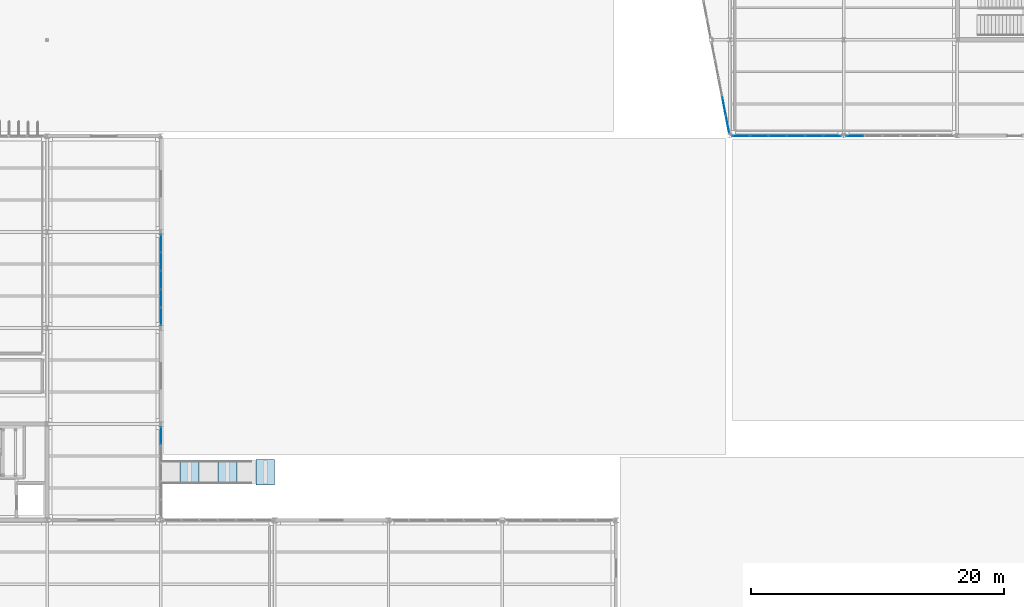
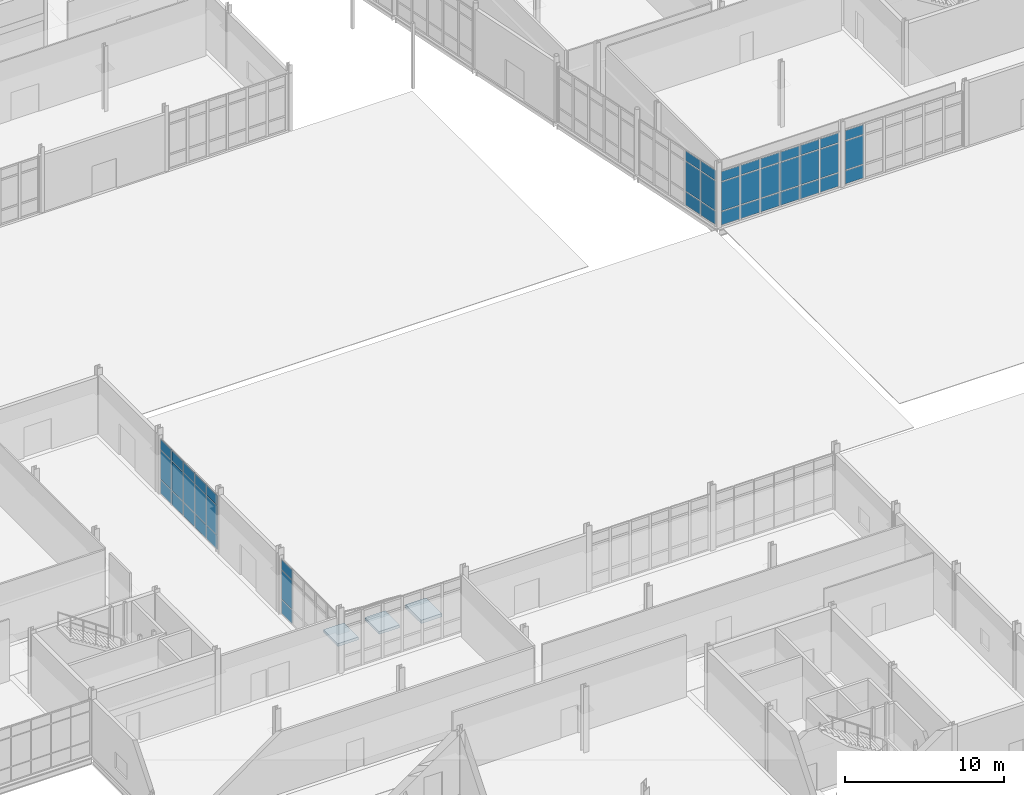
# One storey, part 126 of 161: 45 plates, 3 slabs, 6 elements without a shape of their own.
"""IFC4 building model written with IfcOpenShell, lengths in metres."""

from ifc_helpers import new_model, si_unit, direction, frame, origin, origin_2d, place, context, subcontext, project, spatial, polyline, rectangle, outline, extrude, material, layer, layer_set, type_object, element, aggregate, save


model = new_model("IFC4")

# Units and contexts
model_context = context("Model", 3, precision=1e-05, world=origin(), true_north=direction((0.0, 1.0)))
body_context = subcontext(model_context, "Body", "Model", "MODEL_VIEW")
ifc_project = project(units=[si_unit("LENGTHUNIT", "METRE"), si_unit("AREAUNIT", "SQUARE_METRE"), si_unit("VOLUMEUNIT", "CUBIC_METRE"), si_unit("PLANEANGLEUNIT", "RADIAN"), si_unit("MASSUNIT", "GRAM", prefix="KILO")], contexts=[model_context])

# Site, building, storey
site_placement = place(None, origin())
site = spatial("IfcSite", under=ifc_project, at=site_placement, CompositionType="ELEMENT")
building_placement = place(site_placement, origin())
building = spatial("IfcBuilding", under=site, at=building_placement, Name="Caisbarro Railhouse Central Library", CompositionType="ELEMENT")
storey_placement = place(building_placement, origin())
storey = spatial("IfcBuildingStorey", under=building, at=storey_placement, Name="L00", CompositionType="ELEMENT", Elevation=0.0)

# Curtain wall, plates
ifc_material_1 = material(Name="Anodised architectural aluminium", Category="aluminium")
curtain_wall_type_1 = type_object("IfcCurtainWallType", Name="CW-CW01", PredefinedType="NOTDEFINED", material=ifc_material_1)
curtain_wall_1_placement = place(storey_placement, origin())
curtain_wall_1 = element("IfcCurtainWall", 1, at=curtain_wall_1_placement, inside=storey, type_object=curtain_wall_type_1, Name="CW01 curtain wall L00 #96", PredefinedType="NOTDEFINED")
ifc_material_2 = material(Name="Double low-e laminated solar-control glass", Category="glass")
ifc_layer_1 = layer(ifc_material_2, 0.01806640625, Name="Double low-e laminated solar-control glass")
ifc_layer_set_1 = layer_set([ifc_layer_1], Name="Double low-e laminated solar-control glass")
plate_type_1 = type_object("IfcPlateType", Name="CWP-CP18", PredefinedType="CURTAIN_PANEL", material=ifc_layer_set_1)
plate_1_placement = place(storey_placement, frame((116.82421875, 61.7041015625, 0.06494140625), z_axis=(0.0, 0.0, 1.0), x_axis=(-0.190780945369, 0.981632635401, 0.0)))
plate_1 = element("IfcPlate", 2, at=plate_1_placement, type_object=plate_type_1, Name="CW01 panel 1.1", PredefinedType="CURTAIN_PANEL", context=body_context, shape_type="SweptSolid", body=[
    extrude(rectangle(XDim=1.371826171875, YDim=0.01806640625, at=origin_2d()), origin(), (0.0, 0.0, 1.0), 1.0224609375),
])
plate_2_placement = place(storey_placement, frame((116.82421875, 61.7041015625, 1.15234375), z_axis=(0.0, 0.0, 1.0), x_axis=(-0.190780945369, 0.981632635401, 0.0)))
plate_2 = element("IfcPlate", 3, at=plate_2_placement, type_object=plate_type_1, Name="CW01 panel 1.2", PredefinedType="CURTAIN_PANEL", context=body_context, shape_type="SweptSolid", body=[
    extrude(rectangle(XDim=1.371826171875, YDim=0.01806640625, at=origin_2d()), origin(), (0.0, 0.0, 1.0), 2.264892578125),
])
plate_3_placement = place(storey_placement, frame((116.82421875, 61.7041015625, 3.482421875), z_axis=(0.0, 0.0, 1.0), x_axis=(-0.190780945369, 0.981632635401, 0.0)))
plate_3 = element("IfcPlate", 4, at=plate_3_placement, type_object=plate_type_1, Name="CW01 panel 1.3", PredefinedType="CURTAIN_PANEL", context=body_context, shape_type="SweptSolid", body=[
    extrude(rectangle(XDim=1.371826171875, YDim=0.01806640625, at=origin_2d()), origin(), (0.0, 0.0, 1.0), 0.75244140625),
])
plate_4_placement = place(storey_placement, frame((116.544677734375, 63.142822265625, 0.06494140625), z_axis=(0.0, 0.0, 1.0), x_axis=(-0.190780945369, 0.981632635401, 0.0)))
plate_4 = element("IfcPlate", 5, at=plate_4_placement, type_object=plate_type_1, Name="CW01 panel 2.1", PredefinedType="CURTAIN_PANEL", context=body_context, shape_type="SweptSolid", body=[
    extrude(rectangle(XDim=1.409423828125, YDim=0.01806640625, at=origin_2d()), origin(), (0.0, 0.0, 1.0), 1.0224609375),
])
plate_5_placement = place(storey_placement, frame((116.544677734375, 63.142822265625, 1.15234375), z_axis=(0.0, 0.0, 1.0), x_axis=(-0.190780945369, 0.981632635401, 0.0)))
plate_5 = element("IfcPlate", 6, at=plate_5_placement, type_object=plate_type_1, Name="CW01 panel 2.2", PredefinedType="CURTAIN_PANEL", context=body_context, shape_type="SweptSolid", body=[
    extrude(rectangle(XDim=1.409423828125, YDim=0.01806640625, at=origin_2d()), origin(), (0.0, 0.0, 1.0), 2.264892578125),
])
plate_6_placement = place(storey_placement, frame((116.544677734375, 63.142822265625, 3.482421875), z_axis=(0.0, 0.0, 1.0), x_axis=(-0.190780945369, 0.981632635401, 0.0)))
plate_6 = element("IfcPlate", 7, at=plate_6_placement, type_object=plate_type_1, Name="CW01 panel 2.3", PredefinedType="CURTAIN_PANEL", context=body_context, shape_type="SweptSolid", body=[
    extrude(rectangle(XDim=1.409423828125, YDim=0.01806640625, at=origin_2d()), origin(), (0.0, 0.0, 1.0), 0.75244140625),
])
aggregate(curtain_wall_1, [plate_1, plate_2, plate_3, plate_4, plate_5, plate_6])

curtain_wall_type_2 = type_object("IfcCurtainWallType", Name="CW-CW02", PredefinedType="NOTDEFINED", material=ifc_material_1)
curtain_wall_2_placement = place(storey_placement, origin())
curtain_wall_2 = element("IfcCurtainWall", 8, at=curtain_wall_2_placement, inside=storey, type_object=curtain_wall_type_2, Name="CW02 curtain wall L00 #103", PredefinedType="NOTDEFINED")
ifc_layer_2 = layer(ifc_material_2, 0.028076171875, Name="Double low-e laminated solar-control glass")
ifc_layer_set_2 = layer_set([ifc_layer_2], Name="Double low-e laminated solar-control glass")
plate_type_2 = type_object("IfcPlateType", Name="CWP-CP28", PredefinedType="CURTAIN_PANEL", material=ifc_layer_set_2)
plate_7_placement = place(storey_placement, frame((117.902099609375, 60.800048828125, 0.0751953125), z_axis=(0.0, 0.0, 1.0), x_axis=(1.0, 0.0, 0.0)))
plate_7 = element("IfcPlate", 9, at=plate_7_placement, type_object=plate_type_2, Name="CW02 panel 1.1", PredefinedType="CURTAIN_PANEL", context=body_context, shape_type="SweptSolid", body=[
    extrude(rectangle(XDim=1.334228515625, YDim=0.028076171875, at=origin_2d()), origin(), (0.0, 0.0, 1.0), 1.007568359375),
])
plate_8_placement = place(storey_placement, frame((117.902099609375, 60.800048828125, 1.157470703125), z_axis=(0.0, 0.0, 1.0), x_axis=(1.0, 0.0, 0.0)))
plate_8 = element("IfcPlate", 10, at=plate_8_placement, type_object=plate_type_2, Name="CW02 panel 1.2", PredefinedType="CURTAIN_PANEL", context=body_context, shape_type="SweptSolid", body=[
    extrude(rectangle(XDim=1.334228515625, YDim=0.028076171875, at=origin_2d()), origin(), (0.0, 0.0, 1.0), 2.205078125),
])
plate_9_placement = place(storey_placement, frame((117.902099609375, 60.800048828125, 3.4375), z_axis=(0.0, 0.0, 1.0), x_axis=(1.0, 0.0, 0.0)))
plate_9 = element("IfcPlate", 11, at=plate_9_placement, type_object=plate_type_2, Name="CW02 panel 1.3", PredefinedType="CURTAIN_PANEL", context=body_context, shape_type="SweptSolid", body=[
    extrude(rectangle(XDim=1.334228515625, YDim=0.028076171875, at=origin_2d()), origin(), (0.0, 0.0, 1.0), 0.737548828125),
])
plate_10_placement = place(storey_placement, frame((119.330078125, 60.800048828125, 0.0751953125), z_axis=(0.0, 0.0, 1.0), x_axis=(1.0, 0.0, 0.0)))
plate_10 = element("IfcPlate", 12, at=plate_10_placement, type_object=plate_type_2, Name="CW02 panel 2.1", PredefinedType="CURTAIN_PANEL", context=body_context, shape_type="SweptSolid", body=[
    extrude(rectangle(XDim=1.37158203125, YDim=0.028076171875, at=origin_2d()), origin(), (0.0, 0.0, 1.0), 1.007568359375),
])
plate_11_placement = place(storey_placement, frame((119.330078125, 60.800048828125, 1.157470703125), z_axis=(0.0, 0.0, 1.0), x_axis=(1.0, 0.0, 0.0)))
plate_11 = element("IfcPlate", 13, at=plate_11_placement, type_object=plate_type_2, Name="CW02 panel 2.2", PredefinedType="CURTAIN_PANEL", context=body_context, shape_type="SweptSolid", body=[
    extrude(rectangle(XDim=1.37158203125, YDim=0.028076171875, at=origin_2d()), origin(), (0.0, 0.0, 1.0), 2.205078125),
])
plate_12_placement = place(storey_placement, frame((119.330078125, 60.800048828125, 3.4375), z_axis=(0.0, 0.0, 1.0), x_axis=(1.0, 0.0, 0.0)))
plate_12 = element("IfcPlate", 14, at=plate_12_placement, type_object=plate_type_2, Name="CW02 panel 2.3", PredefinedType="CURTAIN_PANEL", context=body_context, shape_type="SweptSolid", body=[
    extrude(rectangle(XDim=1.37158203125, YDim=0.028076171875, at=origin_2d()), origin(), (0.0, 0.0, 1.0), 0.737548828125),
])
plate_13_placement = place(storey_placement, frame((120.776611328125, 60.800048828125, 0.0751953125), z_axis=(0.0, 0.0, 1.0), x_axis=(1.0, 0.0, 0.0)))
plate_13 = element("IfcPlate", 15, at=plate_13_placement, type_object=plate_type_2, Name="CW02 panel 3.1", PredefinedType="CURTAIN_PANEL", context=body_context, shape_type="SweptSolid", body=[
    extrude(rectangle(XDim=1.37158203125, YDim=0.028076171875, at=origin_2d()), origin(), (0.0, 0.0, 1.0), 1.007568359375),
])
plate_14_placement = place(storey_placement, frame((120.776611328125, 60.800048828125, 1.157470703125), z_axis=(0.0, 0.0, 1.0), x_axis=(1.0, 0.0, 0.0)))
plate_14 = element("IfcPlate", 16, at=plate_14_placement, type_object=plate_type_2, Name="CW02 panel 3.2", PredefinedType="CURTAIN_PANEL", context=body_context, shape_type="SweptSolid", body=[
    extrude(rectangle(XDim=1.37158203125, YDim=0.028076171875, at=origin_2d()), origin(), (0.0, 0.0, 1.0), 2.205078125),
])
plate_15_placement = place(storey_placement, frame((120.776611328125, 60.800048828125, 3.4375), z_axis=(0.0, 0.0, 1.0), x_axis=(1.0, 0.0, 0.0)))
plate_15 = element("IfcPlate", 17, at=plate_15_placement, type_object=plate_type_2, Name="CW02 panel 3.3", PredefinedType="CURTAIN_PANEL", context=body_context, shape_type="SweptSolid", body=[
    extrude(rectangle(XDim=1.37158203125, YDim=0.028076171875, at=origin_2d()), origin(), (0.0, 0.0, 1.0), 0.737548828125),
])
plate_16_placement = place(storey_placement, frame((122.223388671875, 60.800048828125, 0.0751953125), z_axis=(0.0, 0.0, 1.0), x_axis=(1.0, 0.0, 0.0)))
plate_16 = element("IfcPlate", 18, at=plate_16_placement, type_object=plate_type_2, Name="CW02 panel 4.1", PredefinedType="CURTAIN_PANEL", context=body_context, shape_type="SweptSolid", body=[
    extrude(rectangle(XDim=1.37158203125, YDim=0.028076171875, at=origin_2d()), origin(), (0.0, 0.0, 1.0), 1.007568359375),
])
plate_17_placement = place(storey_placement, frame((122.223388671875, 60.800048828125, 1.157470703125), z_axis=(0.0, 0.0, 1.0), x_axis=(1.0, 0.0, 0.0)))
plate_17 = element("IfcPlate", 19, at=plate_17_placement, type_object=plate_type_2, Name="CW02 panel 4.2", PredefinedType="CURTAIN_PANEL", context=body_context, shape_type="SweptSolid", body=[
    extrude(rectangle(XDim=1.37158203125, YDim=0.028076171875, at=origin_2d()), origin(), (0.0, 0.0, 1.0), 2.205078125),
])
plate_18_placement = place(storey_placement, frame((122.223388671875, 60.800048828125, 3.4375), z_axis=(0.0, 0.0, 1.0), x_axis=(1.0, 0.0, 0.0)))
plate_18 = element("IfcPlate", 20, at=plate_18_placement, type_object=plate_type_2, Name="CW02 panel 4.3", PredefinedType="CURTAIN_PANEL", context=body_context, shape_type="SweptSolid", body=[
    extrude(rectangle(XDim=1.37158203125, YDim=0.028076171875, at=origin_2d()), origin(), (0.0, 0.0, 1.0), 0.737548828125),
])
plate_19_placement = place(storey_placement, frame((123.669921875, 60.800048828125, 0.0751953125), z_axis=(0.0, 0.0, 1.0), x_axis=(1.0, 0.0, 0.0)))
plate_19 = element("IfcPlate", 21, at=plate_19_placement, type_object=plate_type_2, Name="CW02 panel 5.1", PredefinedType="CURTAIN_PANEL", context=body_context, shape_type="SweptSolid", body=[
    extrude(rectangle(XDim=1.37158203125, YDim=0.028076171875, at=origin_2d()), origin(), (0.0, 0.0, 1.0), 1.007568359375),
])
plate_20_placement = place(storey_placement, frame((123.669921875, 60.800048828125, 1.157470703125), z_axis=(0.0, 0.0, 1.0), x_axis=(1.0, 0.0, 0.0)))
plate_20 = element("IfcPlate", 22, at=plate_20_placement, type_object=plate_type_2, Name="CW02 panel 5.2", PredefinedType="CURTAIN_PANEL", context=body_context, shape_type="SweptSolid", body=[
    extrude(rectangle(XDim=1.37158203125, YDim=0.028076171875, at=origin_2d()), origin(), (0.0, 0.0, 1.0), 2.205078125),
])
plate_21_placement = place(storey_placement, frame((123.669921875, 60.800048828125, 3.4375), z_axis=(0.0, 0.0, 1.0), x_axis=(1.0, 0.0, 0.0)))
plate_21 = element("IfcPlate", 23, at=plate_21_placement, type_object=plate_type_2, Name="CW02 panel 5.3", PredefinedType="CURTAIN_PANEL", context=body_context, shape_type="SweptSolid", body=[
    extrude(rectangle(XDim=1.37158203125, YDim=0.028076171875, at=origin_2d()), origin(), (0.0, 0.0, 1.0), 0.737548828125),
])
plate_22_placement = place(storey_placement, frame((125.097900390625, 60.800048828125, 0.0751953125), z_axis=(0.0, 0.0, 1.0), x_axis=(1.0, 0.0, 0.0)))
plate_22 = element("IfcPlate", 24, at=plate_22_placement, type_object=plate_type_2, Name="CW02 panel 6.1", PredefinedType="CURTAIN_PANEL", context=body_context, shape_type="SweptSolid", body=[
    extrude(rectangle(XDim=1.334228515625, YDim=0.028076171875, at=origin_2d()), origin(), (0.0, 0.0, 1.0), 1.007568359375),
])
plate_23_placement = place(storey_placement, frame((125.097900390625, 60.800048828125, 1.157470703125), z_axis=(0.0, 0.0, 1.0), x_axis=(1.0, 0.0, 0.0)))
plate_23 = element("IfcPlate", 25, at=plate_23_placement, type_object=plate_type_2, Name="CW02 panel 6.2", PredefinedType="CURTAIN_PANEL", context=body_context, shape_type="SweptSolid", body=[
    extrude(rectangle(XDim=1.334228515625, YDim=0.028076171875, at=origin_2d()), origin(), (0.0, 0.0, 1.0), 2.205078125),
])
plate_24_placement = place(storey_placement, frame((125.097900390625, 60.800048828125, 3.4375), z_axis=(0.0, 0.0, 1.0), x_axis=(1.0, 0.0, 0.0)))
plate_24 = element("IfcPlate", 26, at=plate_24_placement, type_object=plate_type_2, Name="CW02 panel 6.3", PredefinedType="CURTAIN_PANEL", context=body_context, shape_type="SweptSolid", body=[
    extrude(rectangle(XDim=1.334228515625, YDim=0.028076171875, at=origin_2d()), origin(), (0.0, 0.0, 1.0), 0.737548828125),
])
aggregate(curtain_wall_2, [plate_7, plate_8, plate_9, plate_10, plate_11, plate_12, plate_13, plate_14, plate_15, plate_16, plate_17, plate_18, plate_19, plate_20, plate_21, plate_22, plate_23, plate_24])

curtain_wall_3_placement = place(storey_placement, origin())
curtain_wall_3 = element("IfcCurtainWall", 27, at=curtain_wall_3_placement, inside=storey, type_object=curtain_wall_type_2, Name="CW02 curtain wall L00 #104", PredefinedType="NOTDEFINED")
plate_25_placement = place(storey_placement, frame((126.902099609375, 60.800048828125, 0.0751953125), z_axis=(0.0, 0.0, 1.0), x_axis=(1.0, 0.0, 0.0)))
plate_25 = element("IfcPlate", 28, at=plate_25_placement, type_object=plate_type_2, Name="CW02 panel 1.1", PredefinedType="CURTAIN_PANEL", context=body_context, shape_type="SweptSolid", body=[
    extrude(rectangle(XDim=1.334228515625, YDim=0.028076171875, at=origin_2d()), origin(), (0.0, 0.0, 1.0), 1.007568359375),
])
plate_26_placement = place(storey_placement, frame((126.902099609375, 60.800048828125, 1.157470703125), z_axis=(0.0, 0.0, 1.0), x_axis=(1.0, 0.0, 0.0)))
plate_26 = element("IfcPlate", 29, at=plate_26_placement, type_object=plate_type_2, Name="CW02 panel 1.2", PredefinedType="CURTAIN_PANEL", context=body_context, shape_type="SweptSolid", body=[
    extrude(rectangle(XDim=1.334228515625, YDim=0.028076171875, at=origin_2d()), origin(), (0.0, 0.0, 1.0), 2.205078125),
])
plate_27_placement = place(storey_placement, frame((126.902099609375, 60.800048828125, 3.4375), z_axis=(0.0, 0.0, 1.0), x_axis=(1.0, 0.0, 0.0)))
plate_27 = element("IfcPlate", 30, at=plate_27_placement, type_object=plate_type_2, Name="CW02 panel 1.3", PredefinedType="CURTAIN_PANEL", context=body_context, shape_type="SweptSolid", body=[
    extrude(rectangle(XDim=1.334228515625, YDim=0.028076171875, at=origin_2d()), origin(), (0.0, 0.0, 1.0), 0.737548828125),
])
aggregate(curtain_wall_3, [plate_25, plate_26, plate_27])

curtain_wall_4_placement = place(storey_placement, origin())
curtain_wall_4 = element("IfcCurtainWall", 31, at=curtain_wall_4_placement, inside=storey, type_object=curtain_wall_type_1, Name="CW01 curtain wall L00 #23", PredefinedType="NOTDEFINED")
ifc_layer_3 = layer(ifc_material_2, 0.0380859375, Name="Double low-e laminated solar-control glass")
ifc_layer_set_3 = layer_set([ifc_layer_3], Name="Double low-e laminated solar-control glass")
plate_type_3 = type_object("IfcPlateType", Name="CWP-CP38", PredefinedType="CURTAIN_PANEL", material=ifc_layer_set_3)
plate_28_placement = place(storey_placement, frame((72.0, 37.09326171875, 0.06494140625), z_axis=(0.0, 0.0, 1.0), x_axis=(0.0, 1.0, 0.0)))
plate_28 = element("IfcPlate", 32, at=plate_28_placement, type_object=plate_type_3, Name="CW01 panel 5.1", PredefinedType="CURTAIN_PANEL", context=body_context, shape_type="SweptSolid", body=[
    extrude(rectangle(XDim=1.343505859375, YDim=0.0380859375, at=origin_2d()), origin(), (0.0, 0.0, 1.0), 1.0224609375),
])
plate_29_placement = place(storey_placement, frame((72.0, 37.09326171875, 1.15234375), z_axis=(0.0, 0.0, 1.0), x_axis=(0.0, 1.0, 0.0)))
plate_29 = element("IfcPlate", 33, at=plate_29_placement, type_object=plate_type_3, Name="CW01 panel 5.2", PredefinedType="CURTAIN_PANEL", context=body_context, shape_type="SweptSolid", body=[
    extrude(rectangle(XDim=1.343505859375, YDim=0.0380859375, at=origin_2d()), origin(), (0.0, 0.0, 1.0), 2.215087890625),
])
plate_30_placement = place(storey_placement, frame((72.0, 37.09326171875, 3.4326171875), z_axis=(0.0, 0.0, 1.0), x_axis=(0.0, 1.0, 0.0)))
plate_30 = element("IfcPlate", 34, at=plate_30_placement, type_object=plate_type_3, Name="CW01 panel 5.3", PredefinedType="CURTAIN_PANEL", context=body_context, shape_type="SweptSolid", body=[
    extrude(rectangle(XDim=1.343505859375, YDim=0.0380859375, at=origin_2d()), origin(), (0.0, 0.0, 1.0), 0.75244140625),
])
aggregate(curtain_wall_4, [plate_28, plate_29, plate_30])

curtain_wall_5_placement = place(storey_placement, origin())
curtain_wall_5 = element("IfcCurtainWall", 35, at=curtain_wall_5_placement, inside=storey, type_object=curtain_wall_type_1, Name="CW01 curtain wall L00 #24", PredefinedType="NOTDEFINED")
ifc_layer_4 = layer(ifc_material_2, 0.05810546875, Name="Double low-e laminated solar-control glass")
ifc_layer_set_4 = layer_set([ifc_layer_4], Name="Double low-e laminated solar-control glass")
plate_type_4 = type_object("IfcPlateType", Name="CWP-CP58", PredefinedType="CURTAIN_PANEL", material=ifc_layer_set_4)
plate_31_placement = place(storey_placement, frame((72.0, 46.5068359375, 0.06494140625), z_axis=(0.0, 0.0, 1.0), x_axis=(0.0, 1.0, 0.0)))
plate_31 = element("IfcPlate", 36, at=plate_31_placement, type_object=plate_type_4, Name="CW01 panel 1.1", PredefinedType="CURTAIN_PANEL", context=body_context, shape_type="SweptSolid", body=[
    extrude(rectangle(XDim=1.343505859375, YDim=0.05810546875, at=origin_2d()), origin(), (0.0, 0.0, 1.0), 1.0224609375),
])
plate_32_placement = place(storey_placement, frame((72.0, 46.5068359375, 1.15234375), z_axis=(0.0, 0.0, 1.0), x_axis=(0.0, 1.0, 0.0)))
plate_32 = element("IfcPlate", 37, at=plate_32_placement, type_object=plate_type_4, Name="CW01 panel 1.2", PredefinedType="CURTAIN_PANEL", context=body_context, shape_type="SweptSolid", body=[
    extrude(rectangle(XDim=1.343505859375, YDim=0.05810546875, at=origin_2d()), origin(), (0.0, 0.0, 1.0), 2.215087890625),
])
plate_33_placement = place(storey_placement, frame((72.0, 46.5068359375, 3.4326171875), z_axis=(0.0, 0.0, 1.0), x_axis=(0.0, 1.0, 0.0)))
plate_33 = element("IfcPlate", 38, at=plate_33_placement, type_object=plate_type_4, Name="CW01 panel 1.3", PredefinedType="CURTAIN_PANEL", context=body_context, shape_type="SweptSolid", body=[
    extrude(rectangle(XDim=1.343505859375, YDim=0.05810546875, at=origin_2d()), origin(), (0.0, 0.0, 1.0), 0.75244140625),
])
plate_34_placement = place(storey_placement, frame((72.0, 47.944091796875, 0.06494140625), z_axis=(0.0, 0.0, 1.0), x_axis=(0.0, 1.0, 0.0)))
plate_34 = element("IfcPlate", 39, at=plate_34_placement, type_object=plate_type_4, Name="CW01 panel 2.1", PredefinedType="CURTAIN_PANEL", context=body_context, shape_type="SweptSolid", body=[
    extrude(rectangle(XDim=1.381103515625, YDim=0.05810546875, at=origin_2d()), origin(), (0.0, 0.0, 1.0), 1.0224609375),
])
plate_35_placement = place(storey_placement, frame((72.0, 47.944091796875, 1.15234375), z_axis=(0.0, 0.0, 1.0), x_axis=(0.0, 1.0, 0.0)))
plate_35 = element("IfcPlate", 40, at=plate_35_placement, type_object=plate_type_4, Name="CW01 panel 2.2", PredefinedType="CURTAIN_PANEL", context=body_context, shape_type="SweptSolid", body=[
    extrude(rectangle(XDim=1.381103515625, YDim=0.05810546875, at=origin_2d()), origin(), (0.0, 0.0, 1.0), 2.215087890625),
])
plate_36_placement = place(storey_placement, frame((72.0, 47.944091796875, 3.4326171875), z_axis=(0.0, 0.0, 1.0), x_axis=(0.0, 1.0, 0.0)))
plate_36 = element("IfcPlate", 41, at=plate_36_placement, type_object=plate_type_4, Name="CW01 panel 2.3", PredefinedType="CURTAIN_PANEL", context=body_context, shape_type="SweptSolid", body=[
    extrude(rectangle(XDim=1.381103515625, YDim=0.05810546875, at=origin_2d()), origin(), (0.0, 0.0, 1.0), 0.75244140625),
])
plate_37_placement = place(storey_placement, frame((72.0, 49.39990234375, 0.06494140625), z_axis=(0.0, 0.0, 1.0), x_axis=(0.0, 1.0, 0.0)))
plate_37 = element("IfcPlate", 42, at=plate_37_placement, type_object=plate_type_4, Name="CW01 panel 3.1", PredefinedType="CURTAIN_PANEL", context=body_context, shape_type="SweptSolid", body=[
    extrude(rectangle(XDim=1.381103515625, YDim=0.05810546875, at=origin_2d()), origin(), (0.0, 0.0, 1.0), 1.0224609375),
])
plate_38_placement = place(storey_placement, frame((72.0, 49.39990234375, 1.15234375), z_axis=(0.0, 0.0, 1.0), x_axis=(0.0, 1.0, 0.0)))
plate_38 = element("IfcPlate", 43, at=plate_38_placement, type_object=plate_type_4, Name="CW01 panel 3.2", PredefinedType="CURTAIN_PANEL", context=body_context, shape_type="SweptSolid", body=[
    extrude(rectangle(XDim=1.381103515625, YDim=0.05810546875, at=origin_2d()), origin(), (0.0, 0.0, 1.0), 2.215087890625),
])
plate_39_placement = place(storey_placement, frame((72.0, 49.39990234375, 3.4326171875), z_axis=(0.0, 0.0, 1.0), x_axis=(0.0, 1.0, 0.0)))
plate_39 = element("IfcPlate", 44, at=plate_39_placement, type_object=plate_type_4, Name="CW01 panel 3.3", PredefinedType="CURTAIN_PANEL", context=body_context, shape_type="SweptSolid", body=[
    extrude(rectangle(XDim=1.381103515625, YDim=0.05810546875, at=origin_2d()), origin(), (0.0, 0.0, 1.0), 0.75244140625),
])
plate_40_placement = place(storey_placement, frame((72.0, 50.85595703125, 0.06494140625), z_axis=(0.0, 0.0, 1.0), x_axis=(0.0, 1.0, 0.0)))
plate_40 = element("IfcPlate", 45, at=plate_40_placement, type_object=plate_type_4, Name="CW01 panel 4.1", PredefinedType="CURTAIN_PANEL", context=body_context, shape_type="SweptSolid", body=[
    extrude(rectangle(XDim=1.381103515625, YDim=0.05810546875, at=origin_2d()), origin(), (0.0, 0.0, 1.0), 1.0224609375),
])
plate_41_placement = place(storey_placement, frame((72.0, 50.85595703125, 1.15234375), z_axis=(0.0, 0.0, 1.0), x_axis=(0.0, 1.0, 0.0)))
plate_41 = element("IfcPlate", 46, at=plate_41_placement, type_object=plate_type_4, Name="CW01 panel 4.2", PredefinedType="CURTAIN_PANEL", context=body_context, shape_type="SweptSolid", body=[
    extrude(rectangle(XDim=1.381103515625, YDim=0.05810546875, at=origin_2d()), origin(), (0.0, 0.0, 1.0), 2.215087890625),
])
plate_42_placement = place(storey_placement, frame((72.0, 50.85595703125, 3.4326171875), z_axis=(0.0, 0.0, 1.0), x_axis=(0.0, 1.0, 0.0)))
plate_42 = element("IfcPlate", 47, at=plate_42_placement, type_object=plate_type_4, Name="CW01 panel 4.3", PredefinedType="CURTAIN_PANEL", context=body_context, shape_type="SweptSolid", body=[
    extrude(rectangle(XDim=1.381103515625, YDim=0.05810546875, at=origin_2d()), origin(), (0.0, 0.0, 1.0), 0.75244140625),
])
plate_43_placement = place(storey_placement, frame((72.0, 52.293212890625, 0.06494140625), z_axis=(0.0, 0.0, 1.0), x_axis=(0.0, 1.0, 0.0)))
plate_43 = element("IfcPlate", 48, at=plate_43_placement, type_object=plate_type_4, Name="CW01 panel 5.1", PredefinedType="CURTAIN_PANEL", context=body_context, shape_type="SweptSolid", body=[
    extrude(rectangle(XDim=1.343505859375, YDim=0.05810546875, at=origin_2d()), origin(), (0.0, 0.0, 1.0), 1.0224609375),
])
plate_44_placement = place(storey_placement, frame((72.0, 52.293212890625, 1.15234375), z_axis=(0.0, 0.0, 1.0), x_axis=(0.0, 1.0, 0.0)))
plate_44 = element("IfcPlate", 49, at=plate_44_placement, type_object=plate_type_4, Name="CW01 panel 5.2", PredefinedType="CURTAIN_PANEL", context=body_context, shape_type="SweptSolid", body=[
    extrude(rectangle(XDim=1.343505859375, YDim=0.05810546875, at=origin_2d()), origin(), (0.0, 0.0, 1.0), 2.215087890625),
])
plate_45_placement = place(storey_placement, frame((72.0, 52.293212890625, 3.4326171875), z_axis=(0.0, 0.0, 1.0), x_axis=(0.0, 1.0, 0.0)))
plate_45 = element("IfcPlate", 50, at=plate_45_placement, type_object=plate_type_4, Name="CW01 panel 5.3", PredefinedType="CURTAIN_PANEL", context=body_context, shape_type="SweptSolid", body=[
    extrude(rectangle(XDim=1.343505859375, YDim=0.05810546875, at=origin_2d()), origin(), (0.0, 0.0, 1.0), 0.75244140625),
])
aggregate(curtain_wall_5, [plate_31, plate_32, plate_33, plate_34, plate_35, plate_36, plate_37, plate_38, plate_39, plate_40, plate_41, plate_42, plate_43, plate_44, plate_45])

# Slab
ifc_material_3 = material(Name="Concrete C35", Category="concrete")
ifc_layer_5 = layer(ifc_material_3, 0.25, Name="Concrete C35")
ifc_layer_set_5 = layer_set([ifc_layer_5], Name="Concrete C35")
slab_type_1 = type_object("IfcSlabType", Name="SLB-BS25", PredefinedType="BASESLAB", material=ifc_layer_set_5)
slab_1_placement = place(storey_placement, frame((0.0, 0.0, -0.610107421875)))
element("IfcSlab", 51, at=slab_1_placement, inside=storey, type_object=slab_type_1, Name="Entrance Ramp Base Apron 1", PredefinedType="BASESLAB", context=body_context, shape_type="SweptSolid", body=[
    extrude(outline(polyline([(79.5, 33.199951171875), (81.0, 33.199951171875), (81.0, 35.199951171875), (79.5, 35.199951171875), (79.5, 33.199951171875)])), origin(), (0.0, 0.0, 1.0), 0.25),
])

# Ramp, slabs
ramp_type = type_object("IfcRampType", Name="RMP-ACC01", PredefinedType="STRAIGHT_RUN_RAMP", material=ifc_material_3)
ramp_placement = place(storey_placement, origin())
ramp = element("IfcRamp", 52, at=ramp_placement, inside=storey, type_object=ramp_type, Name="RP01 Accessible Entrance Ramp 1", PredefinedType="STRAIGHT_RUN_RAMP")
ifc_layer_6 = layer(ifc_material_3, 0.2099609375, Name="Concrete C35")
ifc_layer_set_6 = layer_set([ifc_layer_6], Name="Concrete C35")
slab_type_2 = type_object("IfcSlabType", Name="SLB-RML21", PredefinedType="LANDING", material=ifc_layer_set_6)
slab_2_placement = place(storey_placement, frame((0.0, 0.0, -0.449951171875)))
slab_2 = element("IfcSlab", 53, at=slab_2_placement, type_object=slab_type_2, Name="Ramp 1 Landing 1", PredefinedType="LANDING", context=body_context, shape_type="SweptSolid", body=[
    extrude(outline(polyline([(76.5, 33.300048828125), (78.0, 33.300048828125), (78.0, 35.10009765625), (76.5, 35.10009765625), (76.5, 33.300048828125)])), origin(), (0.0, 0.0, 1.0), 0.2099609375),
])
slab_3_placement = place(storey_placement, frame((0.0, 0.0, -0.330078125)))
slab_3 = element("IfcSlab", 54, at=slab_3_placement, type_object=slab_type_2, Name="Ramp 1 Landing 2", PredefinedType="LANDING", context=body_context, shape_type="SweptSolid", body=[
    extrude(outline(polyline([(73.5, 33.300048828125), (75.0, 33.300048828125), (75.0, 35.10009765625), (73.5, 35.10009765625), (73.5, 33.300048828125)])), origin(), (0.0, 0.0, 1.0), 0.2099609375),
])
aggregate(ramp, [slab_2, slab_3])

save(model, "model.ifc")
